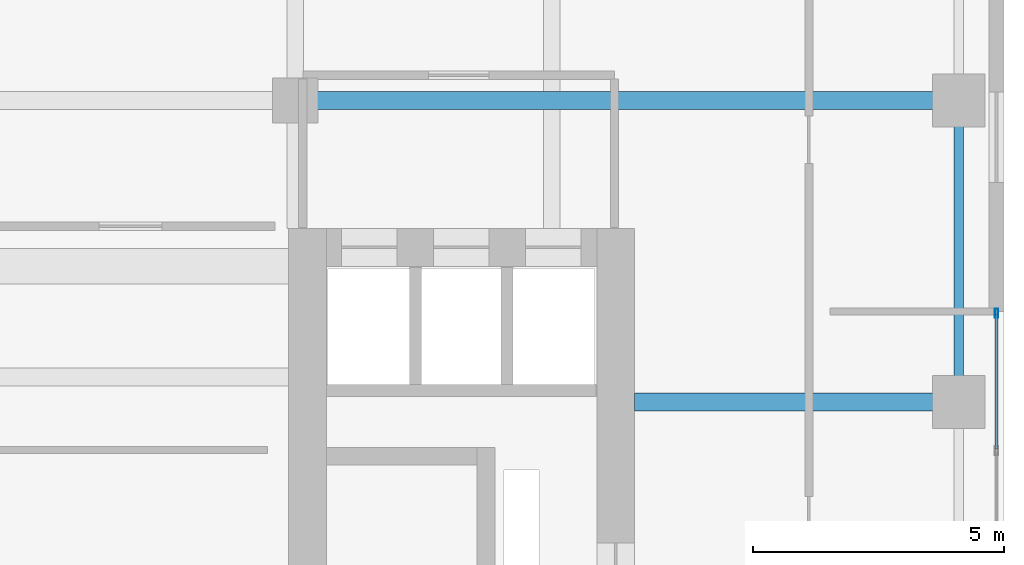
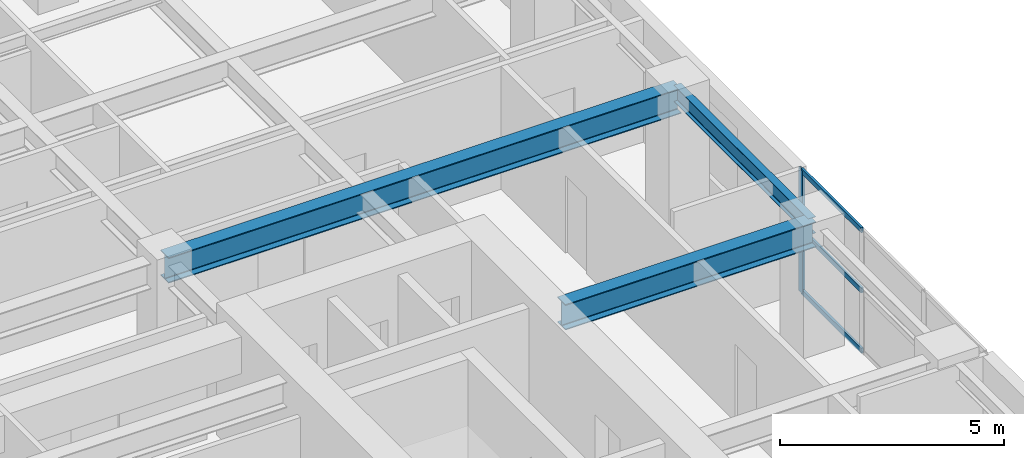
# One storey, part 5 of 13: 4 members, 3 beams, 1 element without a shape of its own.
"""IFC4 building model written with IfcOpenShell, lengths in metres."""

from ifc_helpers import new_model, si_unit, direction, frame, origin, origin_2d, place, context, subcontext, project, spatial, hollow_rectangle, i_section, extrude, source, transform, mapped, material, layer, layer_set, material_profile, profile_set, type_object, element, aggregate, save


model = new_model("IFC4")

# Units and contexts
model_context = context("Model", 3, precision=1e-05, world=origin(), true_north=direction((0.0, 1.0)))
body_context = subcontext(model_context, "Body", "Model", "MODEL_VIEW")
ifc_project = project(units=[si_unit("LENGTHUNIT", "METRE"), si_unit("AREAUNIT", "SQUARE_METRE"), si_unit("VOLUMEUNIT", "CUBIC_METRE"), si_unit("PLANEANGLEUNIT", "RADIAN"), si_unit("MASSUNIT", "GRAM", prefix="KILO")], contexts=[model_context])

# Site, building, storey
site_placement = place(None, origin())
site = spatial("IfcSite", under=ifc_project, at=site_placement, CompositionType="ELEMENT")
building_placement = place(site_placement, origin())
building = spatial("IfcBuilding", under=site, at=building_placement, Name="Khoralis Quay Care Tower", CompositionType="ELEMENT")
storey_placement = place(building_placement, frame((0.0, 0.0, 87.300048828125)))
storey = spatial("IfcBuildingStorey", under=building, at=storey_placement, Name="L22", CompositionType="ELEMENT", Elevation=87.300048828125)

# Beams
ifc_material_1 = material(Name="Steel S355", Category="steel")
ifc_material_profile_1 = material_profile(ifc_material_1, i_section(OverallWidth=0.18994140625, OverallDepth=0.449951171875, WebThickness=0.009521484375, FlangeThickness=0.0146484375, FilletRadius=0.02099609375, at=origin_2d()), Name="Steel S355")
ifc_profile_set_1 = profile_set([ifc_material_profile_1], Name="Steel S355")
beam_type_1 = type_object("IfcBeamType", Name="BM-IPE450", PredefinedType="SPANDREL", material=ifc_profile_set_1)
shared_shape_1 = source(origin(), body_context, "Body", "SweptSolid", [
    extrude(i_section(OverallWidth=0.18994140625, OverallDepth=0.449951171875, WebThickness=0.009521484375, FlangeThickness=0.0146484375, FilletRadius=0.02099609375, at=origin_2d()), origin(), (0.0, 0.0, 1.0), 6.0),
])
beam_1_placement = place(storey_placement, frame((44.10009765625, 24.0, 3.114990234375), z_axis=(0.0, 1.0, 0.0), x_axis=(-1.0, 0.0, 0.0)))
element("IfcBeam", 1, at=beam_1_placement, inside=storey, type_object=beam_type_1, Name="BM-TSP-L22-19", PredefinedType="SPANDREL", context=body_context, shape_type="MappedRepresentation", body=[
    mapped(shared_shape_1, transform((0.0, 0.0, 0.0), scale=1.0)),
])
ifc_material_profile_2 = material_profile(ifc_material_1, i_section(OverallWidth=0.35498046875, OverallDepth=0.695068359375, WebThickness=0.015380859375, FlangeThickness=0.02490234375, FilletRadius=0.02001953125, at=origin_2d()), Name="Steel S355")
ifc_profile_set_2 = profile_set([ifc_material_profile_2], Name="Steel S355")
beam_type_2 = type_object("IfcBeamType", Name="BM-W690X217", PredefinedType="BEAM", material=ifc_profile_set_2)
shared_shape_2 = source(origin(), body_context, "Body", "SweptSolid", [
    extrude(i_section(OverallWidth=0.35498046875, OverallDepth=0.695068359375, WebThickness=0.015380859375, FlangeThickness=0.02490234375, FilletRadius=0.02001953125, at=origin_2d()), origin(), (0.0, 0.0, 1.0), 13.2001953125),
])
beam_2_placement = place(storey_placement, frame((30.89990234375, 30.0, 2.992431640625), z_axis=(1.0, 0.0, 0.0), x_axis=(0.0, 1.0, 0.0)))
element("IfcBeam", 2, at=beam_2_placement, inside=storey, type_object=beam_type_2, Name="BM-TGXE-L22-300", PredefinedType="BEAM", context=body_context, shape_type="MappedRepresentation", body=[
    mapped(shared_shape_2, transform((0.0, 0.0, 0.0), scale=1.0)),
])
shared_shape_3 = source(origin(), body_context, "Body", "SweptSolid", [
    extrude(i_section(OverallWidth=0.35498046875, OverallDepth=0.695068359375, WebThickness=0.015380859375, FlangeThickness=0.02490234375, FilletRadius=0.02001953125, at=origin_2d()), origin(), (0.0, 0.0, 1.0), 6.4521484375),
])
beam_3_placement = place(storey_placement, frame((37.64794921875, 24.0, 2.992431640625), z_axis=(1.0, 0.0, 0.0), x_axis=(0.0, 1.0, 0.0)))
element("IfcBeam", 3, at=beam_3_placement, inside=storey, type_object=beam_type_2, Name="BM-TGXE-L22-240", PredefinedType="BEAM", context=body_context, shape_type="MappedRepresentation", body=[
    mapped(shared_shape_3, transform((0.0, 0.0, 0.0), scale=1.0)),
])

# Curtain wall, members
ifc_material_2 = material(Name="Pale anodised aluminium", Category="aluminium")
ifc_layer = layer(ifc_material_2, 0.169921875)
ifc_layer_set = layer_set([ifc_layer], Name="Pale anodised aluminium")
curtain_wall_type = type_object("IfcCurtainWallType", Name="CW-SYS-Z2", PredefinedType="NOTDEFINED", material=ifc_layer_set)
curtain_wall_placement = place(storey_placement, origin())
curtain_wall = element("IfcCurtainWall", 4, at=curtain_wall_placement, inside=storey, type_object=curtain_wall_type, Name="L22 Unitised Curtain Wall CW-L22-P1-E5", PredefinedType="NOTDEFINED")
ifc_material_profile_3 = material_profile(ifc_material_2, hollow_rectangle(XDim=0.06005859375, YDim=0.139892578125, WallThickness=0.00390625, at=origin_2d()), Name="Pale anodised aluminium")
ifc_profile_set_3 = profile_set([ifc_material_profile_3], Name="Pale anodised aluminium")
member_type_1 = type_object("IfcMemberType", Name="CW-TRN-140", PredefinedType="USERDEFINED", material=ifc_profile_set_3)
shared_shape_4 = source(origin(), body_context, "Body", "SweptSolid", [
    extrude(hollow_rectangle(XDim=0.06005859375, YDim=0.139892578125, WallThickness=0.00390625, at=origin_2d()), origin(), (0.0, 0.0, 1.0), 2.6767578125),
])
member_1_placement = place(storey_placement, frame((44.85009765625, 23.063232421875, 0.030029296875), z_axis=(0.0, 1.0, 0.0), x_axis=(-1.0, 0.0, 0.0)))
member_1 = element("IfcMember", 5, at=member_1_placement, type_object=member_type_1, Name="CW2 transom 3.1", ObjectType="TRANSOM", PredefinedType="USERDEFINED", context=body_context, shape_type="MappedRepresentation", body=[
    mapped(shared_shape_4, transform((0.0, 0.0, 0.0), scale=1.0)),
])
member_2_placement = place(storey_placement, frame((44.85009765625, 23.063232421875, 1.669921875), z_axis=(0.0, 1.0, 0.0), x_axis=(-1.0, 0.0, 0.0)))
member_2 = element("IfcMember", 6, at=member_2_placement, type_object=member_type_1, Name="CW2 transom 3.2", ObjectType="TRANSOM", PredefinedType="USERDEFINED", context=body_context, shape_type="MappedRepresentation", body=[
    mapped(shared_shape_4, transform((0.0, 0.0, 0.0), scale=1.0)),
])
member_3_placement = place(storey_placement, frame((44.85009765625, 23.063232421875, 3.31005859375), z_axis=(0.0, 1.0, 0.0), x_axis=(-1.0, 0.0, 0.0)))
member_3 = element("IfcMember", 7, at=member_3_placement, type_object=member_type_1, Name="CW2 transom 3.3", ObjectType="TRANSOM", PredefinedType="USERDEFINED", context=body_context, shape_type="MappedRepresentation", body=[
    mapped(shared_shape_4, transform((0.0, 0.0, 0.0), scale=1.0)),
])
ifc_material_profile_4 = material_profile(ifc_material_2, hollow_rectangle(XDim=0.06494140625, YDim=0.179931640625, WallThickness=0.00390625, at=origin_2d()), Name="Pale anodised aluminium")
ifc_profile_set_4 = profile_set([ifc_material_profile_4], Name="Pale anodised aluminium")
member_type_2 = type_object("IfcMemberType", Name="CW-MUL-180", PredefinedType="MULLION", material=ifc_profile_set_4)
shared_shape_5 = source(origin(), body_context, "Body", "SweptSolid", [
    extrude(hollow_rectangle(XDim=0.06494140625, YDim=0.179931640625, WallThickness=0.00390625, at=origin_2d()), origin(), (0.0, 0.0, 1.0), 3.33984375),
])
member_4_placement = place(storey_placement, frame((44.85009765625, 25.77001953125, 0.0), z_axis=(0.0, 0.0, 1.0), x_axis=(-1.0, 0.0, 0.0)))
member_4 = element("IfcMember", 8, at=member_4_placement, type_object=member_type_2, Name="CW2 mullion 4", PredefinedType="MULLION", context=body_context, shape_type="MappedRepresentation", body=[
    mapped(shared_shape_5, transform((0.0, 0.0, 0.0), scale=1.0)),
])
aggregate(curtain_wall, [member_4, member_1, member_2, member_3])

save(model, "model.ifc")
